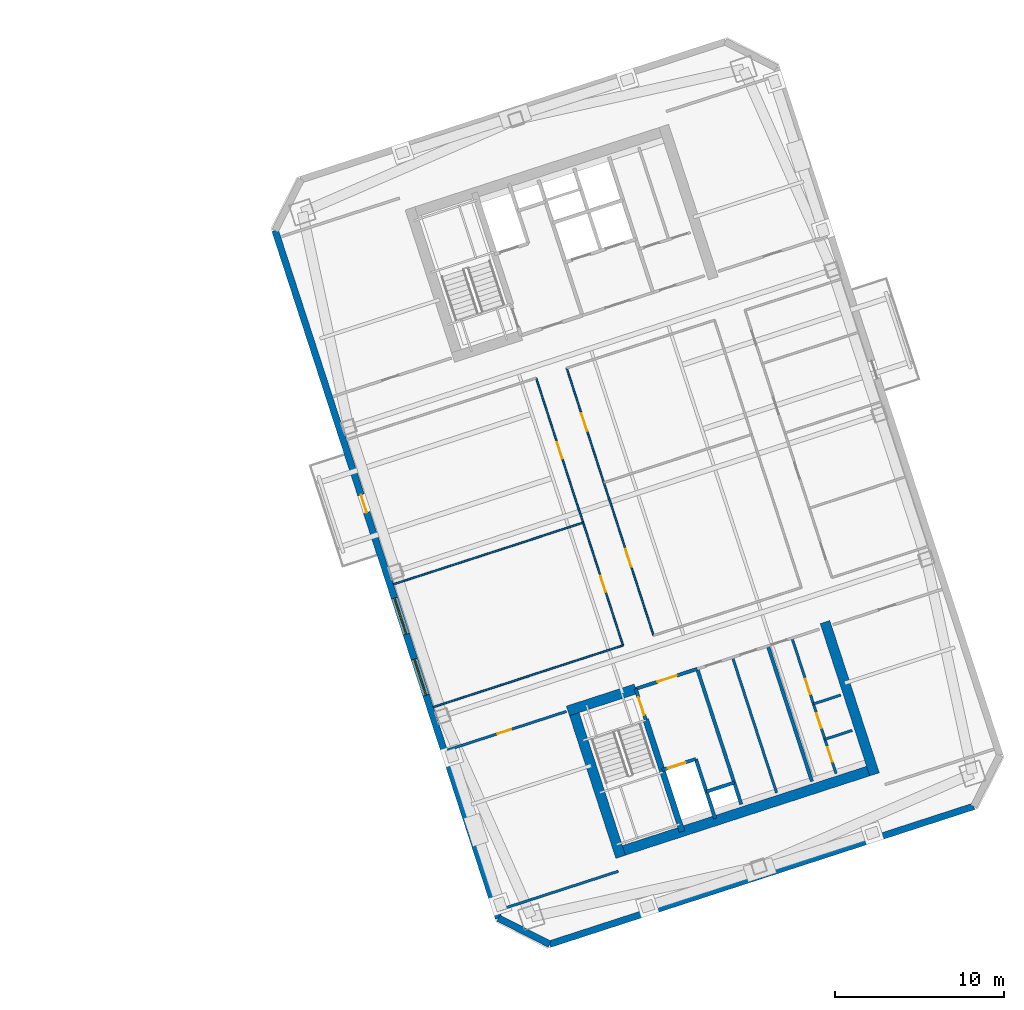
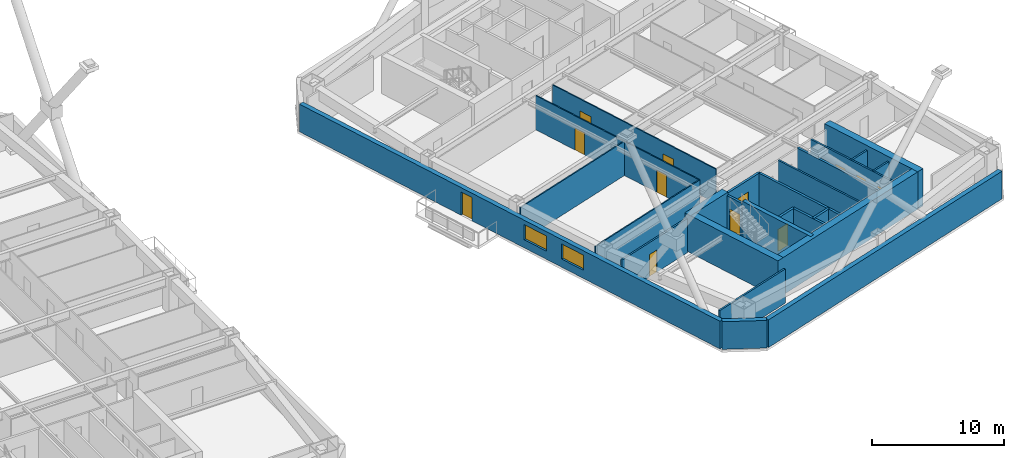
# One storey, part 9 of 17: 25 walls, 12 doors, 2 windows, 14 openings.
"""IFC4 building model written with IfcOpenShell, lengths in metres."""

from ifc_helpers import new_model, si_unit, direction, frame, frame_2d, origin, place, context, subcontext, project, spatial, rectangle, extrude, material, layer, layer_set, type_object, element, fill, save


model = new_model("IFC4")

# Units and contexts
model_context = context("Model", 3, precision=1e-05, world=origin(), true_north=direction((0.0, 1.0)))
body_context = subcontext(model_context, "Body", "Model", "MODEL_VIEW")
ifc_project = project(units=[si_unit("LENGTHUNIT", "METRE"), si_unit("AREAUNIT", "SQUARE_METRE"), si_unit("VOLUMEUNIT", "CUBIC_METRE"), si_unit("PLANEANGLEUNIT", "RADIAN"), si_unit("MASSUNIT", "GRAM", prefix="KILO")], contexts=[model_context])

# Site, building, storey
site_placement = place(None, origin())
site = spatial("IfcSite", under=ifc_project, at=site_placement, CompositionType="ELEMENT")
building_placement = place(site_placement, origin())
building = spatial("IfcBuilding", under=site, at=building_placement, Name="Qiaolan Cultural Towers", CompositionType="ELEMENT")
storey_placement = place(building_placement, frame((0.0, 0.0, 134.550048828125)))
storey = spatial("IfcBuildingStorey", under=building, at=storey_placement, Name="L35", CompositionType="ELEMENT", Elevation=134.550048828125)

# Walls
ifc_material_1 = material(Name="Concrete C50", Category="concrete")
ifc_layer_1 = layer(ifc_material_1, 0.35009765625)
ifc_layer_set_1 = layer_set([ifc_layer_1], Name="Concrete C50")
wall_type_1 = type_object("IfcWallType", Name="WL-CORE-350", PredefinedType="SHEAR", material=ifc_layer_set_1)
wall_1_placement = place(storey_placement, frame((90.486328125, 20.59423828125, 0.0), z_axis=(0.0, 0.0, 1.0), x_axis=(0.309020428229, -0.951055400562, 0.0)))
element("IfcWall", 1, at=wall_1_placement, inside=storey, type_object=wall_type_1, Name="L35 T2-CS Stair Core Dividing Web", PredefinedType="SHEAR", context=body_context, shape_type="SweptSolid", body=[
    extrude(rectangle(XDim=6.97998046875, YDim=0.35009765625, at=frame_2d((3.489990234375, 0.0))), origin(), (0.0, 0.0, 1.0), 3.449951171875),
])
ifc_material_2 = material(Name="Concrete C55", Category="concrete")
ifc_layer_2 = layer(ifc_material_2, 0.60009765625)
ifc_layer_set_2 = layer_set([ifc_layer_2], Name="Concrete C55")
wall_type_2 = type_object("IfcWallType", Name="WL-CORE-600", PredefinedType="SHEAR", material=ifc_layer_set_2)
wall_2_placement = place(storey_placement, frame((88.6298828125, 12.65185546875, 0.0), z_axis=(0.0, 0.0, 1.0), x_axis=(0.95105714907, 0.309015046886, 0.0)))
element("IfcWall", 2, at=wall_2_placement, inside=storey, type_object=wall_type_2, Name="L35 T2-CS Outer Core Shear Wall", PredefinedType="SHEAR", context=body_context, shape_type="SweptSolid", body=[
    extrude(rectangle(XDim=16.400146484375, YDim=0.60009765625, at=frame_2d((8.2001953125, 0.0))), origin(), (0.0, 0.0, 1.0), 3.449951171875),
])
wall_3_placement = place(storey_placement, frame((86.078369140625, 21.47509765625, 0.0), z_axis=(0.0, 0.0, 1.0), x_axis=(0.309017938678, -0.951056209472, 0.0)))
element("IfcWall", 3, at=wall_3_placement, inside=storey, type_object=wall_type_2, Name="L35 T2-CS West Core Shear Wall", PredefinedType="SHEAR", context=body_context, shape_type="SweptSolid", body=[
    extrude(rectangle(XDim=9.479736328125, YDim=0.60009765625, at=frame_2d((4.73974609375, 0.0))), origin(), (0.0, 0.0, 1.0), 3.449951171875),
])
wall_4_placement = place(storey_placement, frame((101.105224609375, 26.357666015625, 0.0), z_axis=(0.0, 0.0, 1.0), x_axis=(0.309010370028, -0.95105866865, 0.0)))
element("IfcWall", 4, at=wall_4_placement, inside=storey, type_object=wall_type_2, Name="L35 T2-CS East Core Shear Wall", PredefinedType="SHEAR", context=body_context, shape_type="SweptSolid", body=[
    extrude(rectangle(XDim=9.47998046875, YDim=0.60009765625, at=frame_2d((4.739990234375, 0.0))), origin(), (0.0, 0.0, 1.0), 3.449951171875),
])
wall_5_placement = place(storey_placement, frame((85.8857421875, 21.09716796875, 0.0), z_axis=(0.0, 0.0, 1.0), x_axis=(0.951068073652, 0.308981422225, 0.0)))
element("IfcWall", 5, at=wall_5_placement, inside=storey, type_object=wall_type_2, Name="L35 T2-CS Stair Front Shear Wall", PredefinedType="SHEAR", context=body_context, shape_type="SweptSolid", body=[
    extrude(rectangle(XDim=4.22021484375, YDim=0.60009765625, at=frame_2d((2.110107421875, 0.0))), origin(), (0.0, 0.0, 1.0), 3.449951171875),
])

# Wall, openings, door, windows
ifc_material_3 = material(Name="Precast Concrete C50 Honed Stone Pier", Category="masonry")
ifc_layer_3 = layer(ifc_material_3, 0.39990234375)
ifc_layer_set_3 = layer_set([ifc_layer_3], Name="Precast Concrete C50 Honed Stone Pier")
wall_type_3 = type_object("IfcWallType", Name="WL-EXT-PIER-400", PredefinedType="SOLIDWALL", material=ifc_layer_set_3)
wall_6_placement = place(storey_placement, frame((81.7763671875, 8.82666015625, 0.0), z_axis=(0.0, 0.0, 1.0), x_axis=(-0.309014228706, 0.951057414911, 0.0)))
wall_6 = element("IfcWall", 6, at=wall_6_placement, inside=storey, type_object=wall_type_3, Name="L35 East Tower Precast Pier Facade Wall F1", PredefinedType="SOLIDWALL", context=body_context, shape_type="SweptSolid", body=[
    extrude(rectangle(XDim=42.800048828125, YDim=0.39990234375, at=frame_2d((21.39990234375, 0.0))), origin(), (0.0, 0.0, 1.0), 2.550048828125),
])
opening_1_placement = place(wall_6_placement, frame((13.875, 0.0, 0.75)))
opening_1 = element("IfcOpeningElement", 7, at=opening_1_placement, cuts=wall_6, Name="Opening W-03", PredefinedType="OPENING", context=body_context, shape_type="SweptSolid", body=[
    extrude(rectangle(XDim=2.25, YDim=1.39990234375, at=frame_2d((1.125, 0.699951171875))), frame((0.0, 0.2099609375, 0.0), z_axis=(0.0, -1.0, 0.0), x_axis=(1.0, 0.0, 0.0)), (0.0, 0.0, 1.0), 0.419921875),
])
opening_2_placement = place(wall_6_placement, frame((17.675048828125, 0.0, 0.75)))
opening_2 = element("IfcOpeningElement", 8, at=opening_2_placement, cuts=wall_6, Name="Opening W-03", PredefinedType="OPENING", context=body_context, shape_type="SweptSolid", body=[
    extrude(rectangle(XDim=2.25, YDim=1.39990234375, at=frame_2d((1.125, 0.699951171875))), frame((0.0, 0.2099609375, 0.0), z_axis=(0.0, -1.0, 0.0), x_axis=(1.0, 0.0, 0.0)), (0.0, 0.0, 1.0), 0.419921875),
])
opening_3_placement = place(wall_6_placement, frame((25.25, 0.0, 0.0)))
opening_3 = element("IfcOpeningElement", 9, at=opening_3_placement, cuts=wall_6, Name="Opening BD-01", PredefinedType="OPENING", context=body_context, shape_type="SweptSolid", body=[
    extrude(rectangle(XDim=1.10009765625, YDim=2.14990234375, at=frame_2d((0.550048828125, 1.074951171875))), frame((0.0, 0.2099609375, 0.0), z_axis=(0.0, -1.0, 0.0), x_axis=(1.0, 0.0, 0.0)), (0.0, 0.0, 1.0), 0.419921875),
])
ifc_material_4 = material(Name="Thermally Broken Aluminium Glazed Terrace Door", Category="aluminium")
door_type_1 = type_object("IfcDoorType", Name="DR-BAL-1100", OperationType="NOTDEFINED", PredefinedType="DOOR", material=ifc_material_4)
door_1_placement = place(opening_3_placement, origin())
door_1 = element("IfcDoor", 10, at=door_1_placement, inside=storey, type_object=door_type_1, Name="L35 T2 West Tree Balcony Door", OperationType="SINGLE_SWING_LEFT", OverallHeight=2.14990234375, OverallWidth=1.10009765625, PredefinedType="DOOR", context=body_context, shape_type="SweptSolid", body=[
    extrude(rectangle(XDim=1.10009765625, YDim=2.14990234375, at=frame_2d((0.550048828125, 1.074951171875))), frame((0.0, 0.02490234375, 0.0), z_axis=(0.0, -1.0, 0.0), x_axis=(1.0, 0.0, 0.0)), (0.0, 0.0, 1.0), 0.050048828125),
])
fill(opening_3, door_1)
ifc_material_5 = material(Name="Thermally Broken Aluminium Triple Low-E Glazing", Category="aluminium")
window_type = type_object("IfcWindowType", Name="WN-CHIC-2250", PartitioningType="SINGLE_PANEL", PredefinedType="WINDOW", material=ifc_material_5)
window_1_placement = place(opening_1_placement, origin())
window_1 = element("IfcWindow", 11, at=window_1_placement, inside=storey, type_object=window_type, Name="L35 T2 W Chicago Bay Window 1", OverallHeight=1.39990234375, OverallWidth=2.25, PartitioningType="TRIPLE_PANEL_VERTICAL", PredefinedType="WINDOW", context=body_context, shape_type="SweptSolid", body=[
    extrude(rectangle(XDim=2.25, YDim=1.39990234375, at=frame_2d((1.125, 0.699951171875))), frame((0.0, 0.030029296875, 0.0), z_axis=(0.0, -1.0, 0.0), x_axis=(1.0, 0.0, 0.0)), (0.0, 0.0, 1.0), 0.06005859375),
])
fill(opening_1, window_1)
window_2_placement = place(opening_2_placement, origin())
window_2 = element("IfcWindow", 12, at=window_2_placement, inside=storey, type_object=window_type, Name="L35 T2 W Chicago Bay Window 2", OverallHeight=1.39990234375, OverallWidth=2.25, PartitioningType="TRIPLE_PANEL_VERTICAL", PredefinedType="WINDOW", context=body_context, shape_type="SweptSolid", body=[
    extrude(rectangle(XDim=2.25, YDim=1.39990234375, at=frame_2d((1.125, 0.699951171875))), frame((0.0, 0.030029296875, 0.0), z_axis=(0.0, -1.0, 0.0), x_axis=(1.0, 0.0, 0.0)), (0.0, 0.0, 1.0), 0.06005859375),
])
fill(opening_2, window_2)

# Walls
wall_7_placement = place(storey_placement, frame((109.908447265625, 15.44384765625, 0.0), z_axis=(0.0, 0.0, 1.0), x_axis=(-0.951057580055, -0.30901372044, 0.0)))
element("IfcWall", 13, at=wall_7_placement, inside=storey, type_object=wall_type_3, Name="L35 East Tower Precast Pier Facade Wall F7", PredefinedType="SOLIDWALL", context=body_context, shape_type="SweptSolid", body=[
    extrude(rectangle(XDim=26.39990234375, YDim=0.39990234375, at=frame_2d((13.199951171875, 0.0))), origin(), (0.0, 0.0, 1.0), 2.550048828125),
])
wall_8_placement = place(storey_placement, frame((84.800537109375, 7.285888671875, 0.0), z_axis=(0.0, 0.0, 1.0), x_axis=(-0.891020832027, 0.453962417932, 0.0)))
element("IfcWall", 14, at=wall_8_placement, inside=storey, type_object=wall_type_3, Name="L35 East Tower Precast Pier Facade Wall F8", PredefinedType="SOLIDWALL", context=body_context, shape_type="SweptSolid", body=[
    extrude(rectangle(XDim=3.39404296875, YDim=0.39990234375, at=frame_2d((1.697021484375, 0.0))), origin(), (0.0, 0.0, 1.0), 2.550048828125),
])

# Wall, opening, door
ifc_material_6 = material(Name="Concrete C35 Fire Wall", Category="concrete")
ifc_layer_4 = layer(ifc_material_6, 0.199951171875)
ifc_layer_set_4 = layer_set([ifc_layer_4], Name="Concrete C35 Fire Wall")
wall_type_4 = type_object("IfcWallType", Name="WL-FIRE-200", PredefinedType="PARTITIONING", material=ifc_layer_set_4)
wall_9_placement = place(storey_placement, frame((89.8994140625, 22.401123046875, 0.0), z_axis=(0.0, 0.0, 1.0), x_axis=(0.308932062672, -0.951084108086, 0.0)))
wall_9 = element("IfcWall", 15, at=wall_9_placement, inside=storey, type_object=wall_type_4, Name="L35 T2-CS Smokeproof Stair Entry Wall", PredefinedType="PARTITIONING", context=body_context, shape_type="SweptSolid", body=[
    extrude(rectangle(XDim=1.89990234375, YDim=0.199951171875, at=frame_2d((0.949951171875, 0.0))), origin(), (0.0, 0.0, 1.0), 3.155029296875),
])
opening_4_placement = place(wall_9_placement, frame((0.52001953125, 0.0, 0.0)))
opening_4 = element("IfcOpeningElement", 16, at=opening_4_placement, cuts=wall_9, Name="Opening FD-04", PredefinedType="OPENING", context=body_context, shape_type="SweptSolid", body=[
    extrude(rectangle(XDim=1.10009765625, YDim=2.050048828125, at=frame_2d((0.550048828125, 1.02490234375))), frame((0.0, 0.10986328125, 0.0), z_axis=(0.0, -1.0, 0.0), x_axis=(1.0, 0.0, 0.0)), (0.0, 0.0, 1.0), 0.219970703125),
])
ifc_material_7 = material(Name="Galvanized Steel Command Fire Door", Category="steel")
door_type_2 = type_object("IfcDoorType", Name="DR-FD90-1100", OperationType="NOTDEFINED", PredefinedType="DOOR", material=ifc_material_7)
door_2_placement = place(opening_4_placement, origin())
door_2 = element("IfcDoor", 17, at=door_2_placement, inside=storey, type_object=door_type_2, Name="L35 ST-E1 Smokeproof Stair Fire Door", OperationType="SINGLE_SWING_LEFT", OverallHeight=2.050048828125, OverallWidth=1.10009765625, PredefinedType="DOOR", context=body_context, shape_type="SweptSolid", body=[
    extrude(rectangle(XDim=1.10009765625, YDim=2.050048828125, at=frame_2d((0.550048828125, 1.02490234375))), frame((0.0, 0.02490234375, 0.0), z_axis=(0.0, -1.0, 0.0), x_axis=(1.0, 0.0, 0.0)), (0.0, 0.0, 1.0), 0.050048828125),
])
fill(opening_4, door_2)

# Wall
wall_10_placement = place(storey_placement, frame((93.541748046875, 23.584716796875, 0.0), z_axis=(0.0, 0.0, 1.0), x_axis=(0.309042196757, -0.951048327176, 0.0)))
element("IfcWall", 18, at=wall_10_placement, inside=storey, type_object=wall_type_4, Name="L35 T2-CS Firefighting Zone Wall", PredefinedType="PARTITIONING", context=body_context, shape_type="SweptSolid", body=[
    extrude(rectangle(XDim=8.429931640625, YDim=0.199951171875, at=frame_2d((4.21484375, 0.0))), origin(), (0.0, 0.0, 1.0), 3.155029296875),
])

# Wall, opening, door
wall_11_placement = place(storey_placement, frame((89.8994140625, 22.401123046875, 0.0), z_axis=(0.0, 0.0, 1.0), x_axis=(0.951046716504, 0.309047153403, 0.0)))
wall_11 = element("IfcWall", 19, at=wall_11_placement, inside=storey, type_object=wall_type_4, Name="L35 T2-CS Firefighting Lobby Front Wall", PredefinedType="PARTITIONING", context=body_context, shape_type="SweptSolid", body=[
    extrude(rectangle(XDim=3.829833984375, YDim=0.199951171875, at=frame_2d((1.9150390625, 0.0))), origin(), (0.0, 0.0, 1.0), 3.155029296875),
])
opening_5_placement = place(wall_11_placement, frame((1.35009765625, 0.0, 0.0)))
opening_5 = element("IfcOpeningElement", 20, at=opening_5_placement, cuts=wall_11, Name="Opening FD-03", PredefinedType="OPENING", context=body_context, shape_type="SweptSolid", body=[
    extrude(rectangle(XDim=1.199951171875, YDim=2.050048828125, at=frame_2d((0.60009765625, 1.02490234375))), frame((0.0, 0.10986328125, 0.0), z_axis=(0.0, -1.0, 0.0), x_axis=(1.0, 0.0, 0.0)), (0.0, 0.0, 1.0), 0.219970703125),
])
ifc_material_8 = material(Name="Galvanized Steel Smokeproof Lobby Fire Door", Category="steel")
door_type_3 = type_object("IfcDoorType", Name="DR-FD90-1200", OperationType="NOTDEFINED", PredefinedType="DOOR", material=ifc_material_8)
door_3_placement = place(opening_5_placement, origin())
door_3 = element("IfcDoor", 21, at=door_3_placement, inside=storey, type_object=door_type_3, Name="L35 FFL-E1 Firefighting Lobby Fire Door", OperationType="SINGLE_SWING_LEFT", OverallHeight=2.050048828125, OverallWidth=1.199951171875, PredefinedType="DOOR", context=body_context, shape_type="SweptSolid", body=[
    extrude(rectangle(XDim=1.199951171875, YDim=2.050048828125, at=frame_2d((0.60009765625, 1.02490234375))), frame((0.0, 0.02490234375, 0.0), z_axis=(0.0, -1.0, 0.0), x_axis=(1.0, 0.0, 0.0)), (0.0, 0.0, 1.0), 0.050048828125),
])
fill(opening_5, door_3)

wall_12_placement = place(storey_placement, frame((91.459716796875, 17.598388671875, 0.0), z_axis=(0.0, 0.0, 1.0), x_axis=(0.951062257173, 0.308999325213, 0.0)))
wall_12 = element("IfcWall", 22, at=wall_12_placement, inside=storey, type_object=wall_type_4, Name="L35 T2-CS Firefighting Shaft Front Wall", PredefinedType="PARTITIONING", context=body_context, shape_type="SweptSolid", body=[
    extrude(rectangle(XDim=2.10009765625, YDim=0.199951171875, at=frame_2d((1.050048828125, 0.0))), origin(), (0.0, 0.0, 1.0), 3.155029296875),
])
opening_6_placement = place(wall_12_placement, frame((0.35009765625, 0.0, 0.0)))
opening_6 = element("IfcOpeningElement", 23, at=opening_6_placement, cuts=wall_12, Name="Opening LD-01", PredefinedType="OPENING", context=body_context, shape_type="SweptSolid", body=[
    extrude(rectangle(XDim=1.10009765625, YDim=2.050048828125, at=frame_2d((0.550048828125, 1.02490234375))), frame((0.0, 0.10986328125, 0.0), z_axis=(0.0, -1.0, 0.0), x_axis=(1.0, 0.0, 0.0)), (0.0, 0.0, 1.0), 0.219970703125),
])
ifc_material_9 = material(Name="Brushed Stainless Steel S30408 Centre-Parting Lift Landing Door", Category="steel")
door_type_4 = type_object("IfcDoorType", Name="DR-LIFT-1100", OperationType="NOTDEFINED", PredefinedType="DOOR", material=ifc_material_9)
door_4_placement = place(opening_6_placement, origin())
door_4 = element("IfcDoor", 24, at=door_4_placement, inside=storey, type_object=door_type_4, Name="L35 FFL-E1 Firefighting Lift Landing Door", OperationType="DOUBLE_DOOR_SLIDING", OverallHeight=2.050048828125, OverallWidth=1.10009765625, PredefinedType="DOOR", context=body_context, shape_type="SweptSolid", body=[
    extrude(rectangle(XDim=1.10009765625, YDim=2.050048828125, at=frame_2d((0.550048828125, 1.02490234375))), frame((0.0, 0.02490234375, 0.0), z_axis=(0.0, -1.0, 0.0), x_axis=(1.0, 0.0, 0.0)), (0.0, 0.0, 1.0), 0.050048828125),
])
fill(opening_6, door_4)

# Walls
wall_13_placement = place(storey_placement, frame((93.45703125, 18.247314453125, 0.0), z_axis=(0.0, 0.0, 1.0), x_axis=(0.3089935693, -0.951064127245, 0.0)))
element("IfcWall", 25, at=wall_13_placement, inside=storey, type_object=wall_type_4, Name="L35 T2-CS Firefighting Hoistway East Wall", PredefinedType="PARTITIONING", context=body_context, shape_type="SweptSolid", body=[
    extrude(rectangle(XDim=3.7001953125, YDim=0.199951171875, at=frame_2d((1.85009765625, 0.0))), origin(), (0.0, 0.0, 1.0), 3.155029296875),
])
wall_14_placement = place(storey_placement, frame((94.08447265625, 16.316650390625, 0.0), z_axis=(0.0, 0.0, 1.0), x_axis=(0.951041328149, 0.309063734775, 0.0)))
element("IfcWall", 26, at=wall_14_placement, inside=storey, type_object=wall_type_4, Name="L35 T2-CS Pressurization Shaft Front Wall", PredefinedType="PARTITIONING", context=body_context, shape_type="SweptSolid", body=[
    extrude(rectangle(XDim=1.72998046875, YDim=0.199951171875, at=frame_2d((0.864990234375, 0.0))), origin(), (0.0, 0.0, 1.0), 3.155029296875),
])
wall_15_placement = place(storey_placement, frame((97.7265625, 24.9443359375, 0.0), z_axis=(0.0, 0.0, 1.0), x_axis=(0.309016001439, -0.951056838919, 0.0)))
element("IfcWall", 27, at=wall_15_placement, inside=storey, type_object=wall_type_4, Name="L35 T2-CS Lift Core East Wall", PredefinedType="PARTITIONING", context=body_context, shape_type="SweptSolid", body=[
    extrude(rectangle(XDim=8.429931640625, YDim=0.199951171875, at=frame_2d((4.21484375, 0.0))), origin(), (0.0, 0.0, 1.0), 3.155029296875),
])
ifc_material_10 = material(Name="Acoustic Double-Glazed Partition Frame", Category="glass")
ifc_layer_5 = layer(ifc_material_10, 0.10009765625)
ifc_layer_set_5 = layer_set([ifc_layer_5], Name="Acoustic Double-Glazed Partition Frame")
wall_type_5 = type_object("IfcWallType", Name="WL-GLAZED-100", PredefinedType="MOVABLE", material=ifc_layer_set_5)
wall_16_placement = place(storey_placement, frame((77.9248046875, 21.328369140625, 0.0), z_axis=(0.0, 0.0, 1.0), x_axis=(0.951053984761, 0.309024785528, 0.0)))
element("IfcWall", 28, at=wall_16_placement, inside=storey, type_object=wall_type_5, Name="L35 T2 Interior Wall", PredefinedType="MOVABLE", context=body_context, shape_type="SweptSolid", body=[
    extrude(rectangle(XDim=11.800048828125, YDim=0.10009765625, at=frame_2d((5.89990234375, 0.0))), origin(), (0.0, 0.0, 1.0), 3.155029296875),
])

# Wall, openings, doors
wall_17_placement = place(storey_placement, frame((89.147216796875, 24.974853515625, 0.0), z_axis=(0.0, 0.0, 1.0), x_axis=(-0.309022042254, 0.951054876125, 0.0)))
wall_17 = element("IfcWall", 29, at=wall_17_placement, inside=storey, type_object=wall_type_5, Name="L35 T2 Interior Wall", PredefinedType="MOVABLE", context=body_context, shape_type="SweptSolid", body=[
    extrude(rectangle(XDim=16.639892578125, YDim=0.10009765625, at=frame_2d((8.31982421875, 0.0))), origin(), (0.0, 0.0, 1.0), 3.155029296875),
])
opening_7_placement = place(wall_17_placement, frame((3.320068359375, 0.0, 0.0)))
opening_7 = element("IfcOpeningElement", 30, at=opening_7_placement, cuts=wall_17, Name="Opening ID-04", PredefinedType="OPENING", context=body_context, shape_type="SweptSolid", body=[
    extrude(rectangle(XDim=1.0, YDim=2.050048828125, at=frame_2d((0.5, 1.02490234375))), frame((0.0, 0.06005859375, 0.0), z_axis=(0.0, -1.0, 0.0), x_axis=(1.0, 0.0, 0.0)), (0.0, 0.0, 1.0), 0.1201171875),
])
opening_8_placement = place(wall_17_placement, frame((11.639892578125, 0.0, 0.0)))
opening_8 = element("IfcOpeningElement", 31, at=opening_8_placement, cuts=wall_17, Name="Opening ID-04", PredefinedType="OPENING", context=body_context, shape_type="SweptSolid", body=[
    extrude(rectangle(XDim=1.0, YDim=2.050048828125, at=frame_2d((0.5, 1.02490234375))), frame((0.0, 0.06005859375, 0.0), z_axis=(0.0, -1.0, 0.0), x_axis=(1.0, 0.0, 0.0)), (0.0, 0.0, 1.0), 0.1201171875),
])
ifc_material_11 = material(Name="Oak Veneer Acoustic Office Door", Category="timber")
door_type_5 = type_object("IfcDoorType", Name="DR-INT-1000", OperationType="NOTDEFINED", PredefinedType="DOOR", material=ifc_material_11)
door_5_placement = place(opening_7_placement, origin())
door_5 = element("IfcDoor", 32, at=door_5_placement, inside=storey, type_object=door_type_5, Name="L35 T2 Design Research Studio Door", OperationType="SINGLE_SWING_LEFT", OverallHeight=2.050048828125, OverallWidth=1.0, PredefinedType="DOOR", context=body_context, shape_type="SweptSolid", body=[
    extrude(rectangle(XDim=1.0, YDim=2.050048828125, at=frame_2d((0.5, 1.02490234375))), frame((0.0, 0.02490234375, 0.0), z_axis=(0.0, -1.0, 0.0), x_axis=(1.0, 0.0, 0.0)), (0.0, 0.0, 1.0), 0.050048828125),
])
fill(opening_7, door_5)
door_6_placement = place(opening_8_placement, origin())
door_6 = element("IfcDoor", 33, at=door_6_placement, inside=storey, type_object=door_type_5, Name="L35 T2 Design Research Studio Door", OperationType="SINGLE_SWING_RIGHT", OverallHeight=2.050048828125, OverallWidth=1.0, PredefinedType="DOOR", context=body_context, shape_type="SweptSolid", body=[
    extrude(rectangle(XDim=1.0, YDim=2.050048828125, at=frame_2d((0.5, 1.02490234375))), frame((0.0, 0.02490234375, 0.0), z_axis=(0.0, -1.0, 0.0), x_axis=(1.0, 0.0, 0.0)), (0.0, 0.0, 1.0), 0.050048828125),
])
fill(opening_8, door_6)

wall_18_placement = place(storey_placement, frame((90.954345703125, 25.561767578125, 0.0), z_axis=(0.0, 0.0, 1.0), x_axis=(-0.30901773025, 0.951056277195, 0.0)))
wall_18 = element("IfcWall", 34, at=wall_18_placement, inside=storey, type_object=wall_type_5, Name="L35 T2 Interior Wall", PredefinedType="MOVABLE", context=body_context, shape_type="SweptSolid", body=[
    extrude(rectangle(XDim=16.64013671875, YDim=0.10009765625, at=frame_2d((8.320068359375, 0.0))), origin(), (0.0, 0.0, 1.0), 3.155029296875),
])
opening_9_placement = place(wall_18_placement, frame((4.283935546875, 0.0, 0.0)))
opening_9 = element("IfcOpeningElement", 35, at=opening_9_placement, cuts=wall_18, Name="Opening ID-03", PredefinedType="OPENING", context=body_context, shape_type="SweptSolid", body=[
    extrude(rectangle(XDim=1.10009765625, YDim=2.050048828125, at=frame_2d((0.550048828125, 1.02490234375))), frame((0.0, 0.06005859375, 0.0), z_axis=(0.0, -1.0, 0.0), x_axis=(1.0, 0.0, 0.0)), (0.0, 0.0, 1.0), 0.1201171875),
])
opening_10_placement = place(wall_18_placement, frame((12.72412109375, 0.0, 0.0)))
opening_10 = element("IfcOpeningElement", 36, at=opening_10_placement, cuts=wall_18, Name="Opening ID-03", PredefinedType="OPENING", context=body_context, shape_type="SweptSolid", body=[
    extrude(rectangle(XDim=1.10009765625, YDim=2.050048828125, at=frame_2d((0.550048828125, 1.02490234375))), frame((0.0, 0.06005859375, 0.0), z_axis=(0.0, -1.0, 0.0), x_axis=(1.0, 0.0, 0.0)), (0.0, 0.0, 1.0), 0.1201171875),
])
ifc_material_12 = material(Name="Oak Veneer Solid-Core Boardroom Door", Category="timber")
door_type_6 = type_object("IfcDoorType", Name="DR-INT-1100", OperationType="NOTDEFINED", PredefinedType="DOOR", material=ifc_material_12)
door_7_placement = place(opening_9_placement, origin())
door_7 = element("IfcDoor", 37, at=door_7_placement, inside=storey, type_object=door_type_6, Name="L35 T2 Central Boardroom Door", OperationType="SINGLE_SWING_LEFT", OverallHeight=2.050048828125, OverallWidth=1.10009765625, PredefinedType="DOOR", context=body_context, shape_type="SweptSolid", body=[
    extrude(rectangle(XDim=1.10009765625, YDim=2.050048828125, at=frame_2d((0.550048828125, 1.02490234375))), frame((0.0, 0.02490234375, 0.0), z_axis=(0.0, -1.0, 0.0), x_axis=(1.0, 0.0, 0.0)), (0.0, 0.0, 1.0), 0.050048828125),
])
fill(opening_9, door_7)
door_8_placement = place(opening_10_placement, origin())
door_8 = element("IfcDoor", 38, at=door_8_placement, inside=storey, type_object=door_type_6, Name="L35 T2 Central Archive Salon Door", OperationType="SINGLE_SWING_RIGHT", OverallHeight=2.050048828125, OverallWidth=1.10009765625, PredefinedType="DOOR", context=body_context, shape_type="SweptSolid", body=[
    extrude(rectangle(XDim=1.10009765625, YDim=2.050048828125, at=frame_2d((0.550048828125, 1.02490234375))), frame((0.0, 0.02490234375, 0.0), z_axis=(0.0, -1.0, 0.0), x_axis=(1.0, 0.0, 0.0)), (0.0, 0.0, 1.0), 0.050048828125),
])
fill(opening_10, door_8)

# Walls
wall_19_placement = place(storey_placement, frame((75.56396484375, 28.594482421875, 0.0), z_axis=(0.0, 0.0, 1.0), x_axis=(0.95106006537, 0.309006071232, 0.0)))
element("IfcWall", 39, at=wall_19_placement, inside=storey, type_object=wall_type_5, Name="L35 T2 Interior Wall", PredefinedType="MOVABLE", context=body_context, shape_type="SweptSolid", body=[
    extrude(rectangle(XDim=11.7998046875, YDim=0.10009765625, at=frame_2d((5.89990234375, 0.0))), origin(), (0.0, 0.0, 1.0), 3.155029296875),
])
ifc_material_13 = material(Name="Autoclaved Aerated Concrete Block B06", Category="concrete")
ifc_layer_6 = layer(ifc_material_13, 0.14990234375)
ifc_layer_set_6 = layer_set([ifc_layer_6], Name="Autoclaved Aerated Concrete Block B06")
wall_type_6 = type_object("IfcWallType", Name="WL-PART-150", PredefinedType="PARTITIONING", material=ifc_layer_set_6)
wall_20_placement = place(storey_placement, frame((95.63427734375, 24.2646484375, 0.0), z_axis=(0.0, 0.0, 1.0), x_axis=(0.309007490203, -0.951059604335, 0.0)))
element("IfcWall", 40, at=wall_20_placement, inside=storey, type_object=wall_type_6, Name="L35 T2-CS Reclaimed Twin Room Wall", PredefinedType="PARTITIONING", context=body_context, shape_type="SweptSolid", body=[
    extrude(rectangle(XDim=8.43017578125, YDim=0.14990234375, at=frame_2d((4.215087890625, 0.0))), origin(), (0.0, 0.0, 1.0), 3.155029296875),
])

# Wall, openings, doors
wall_21_placement = place(storey_placement, frame((99.153076171875, 25.407958984375, 0.0), z_axis=(0.0, 0.0, 1.0), x_axis=(0.309016001439, -0.951056838919, 0.0)))
wall_21 = element("IfcWall", 41, at=wall_21_placement, inside=storey, type_object=wall_type_6, Name="L35 T2-CS Sanitary Vestibule Wall", PredefinedType="PARTITIONING", context=body_context, shape_type="SweptSolid", body=[
    extrude(rectangle(XDim=8.429931640625, YDim=0.14990234375, at=frame_2d((4.21484375, 0.0))), origin(), (0.0, 0.0, 1.0), 3.155029296875),
])
opening_11_placement = place(wall_21_placement, frame((2.550048828125, 0.0, 0.0)))
opening_11 = element("IfcOpeningElement", 42, at=opening_11_placement, cuts=wall_21, Name="Opening ID-05", PredefinedType="OPENING", context=body_context, shape_type="SweptSolid", body=[
    extrude(rectangle(XDim=0.949951171875, YDim=2.050048828125, at=frame_2d((0.47509765625, 1.02490234375))), frame((0.0, 0.0849609375, 0.0), z_axis=(0.0, -1.0, 0.0), x_axis=(1.0, 0.0, 0.0)), (0.0, 0.0, 1.0), 0.169921875),
])
opening_12_placement = place(wall_21_placement, frame((4.699951171875, 0.0, 0.0)))
opening_12 = element("IfcOpeningElement", 43, at=opening_12_placement, cuts=wall_21, Name="Opening ID-06", PredefinedType="OPENING", context=body_context, shape_type="SweptSolid", body=[
    extrude(rectangle(XDim=0.89990234375, YDim=2.050048828125, at=frame_2d((0.449951171875, 1.02490234375))), frame((0.0, 0.0849609375, 0.0), z_axis=(0.0, -1.0, 0.0), x_axis=(1.0, 0.0, 0.0)), (0.0, 0.0, 1.0), 0.169921875),
])
opening_13_placement = place(wall_21_placement, frame((6.800048828125, 0.0, 0.0)))
opening_13 = element("IfcOpeningElement", 44, at=opening_13_placement, cuts=wall_21, Name="Opening ID-06", PredefinedType="OPENING", context=body_context, shape_type="SweptSolid", body=[
    extrude(rectangle(XDim=0.89990234375, YDim=2.050048828125, at=frame_2d((0.449951171875, 1.02490234375))), frame((0.0, 0.0849609375, 0.0), z_axis=(0.0, -1.0, 0.0), x_axis=(1.0, 0.0, 0.0)), (0.0, 0.0, 1.0), 0.169921875),
])
ifc_material_14 = material(Name="Fire-Rated Laminate Core Service Door", Category="timber")
door_type_7 = type_object("IfcDoorType", Name="DR-INT-900", OperationType="NOTDEFINED", PredefinedType="DOOR", material=ifc_material_14)
door_9_placement = place(opening_12_placement, origin())
door_9 = element("IfcDoor", 45, at=door_9_placement, inside=storey, type_object=door_type_7, Name="L35 Men Washroom Door", OperationType="SINGLE_SWING_LEFT", OverallHeight=2.050048828125, OverallWidth=0.89990234375, PredefinedType="DOOR", context=body_context, shape_type="SweptSolid", body=[
    extrude(rectangle(XDim=0.89990234375, YDim=2.050048828125, at=frame_2d((0.449951171875, 1.02490234375))), frame((0.0, 0.02490234375, 0.0), z_axis=(0.0, -1.0, 0.0), x_axis=(1.0, 0.0, 0.0)), (0.0, 0.0, 1.0), 0.050048828125),
])
fill(opening_12, door_9)
door_10_placement = place(opening_13_placement, origin())
door_10 = element("IfcDoor", 46, at=door_10_placement, inside=storey, type_object=door_type_7, Name="L35 Women Washroom Door", OperationType="SINGLE_SWING_RIGHT", OverallHeight=2.050048828125, OverallWidth=0.89990234375, PredefinedType="DOOR", context=body_context, shape_type="SweptSolid", body=[
    extrude(rectangle(XDim=0.89990234375, YDim=2.050048828125, at=frame_2d((0.449951171875, 1.02490234375))), frame((0.0, 0.02490234375, 0.0), z_axis=(0.0, -1.0, 0.0), x_axis=(1.0, 0.0, 0.0)), (0.0, 0.0, 1.0), 0.050048828125),
])
fill(opening_13, door_10)
ifc_material_15 = material(Name="Fire-Rated Laminate Accessible Core Door", Category="timber")
door_type_8 = type_object("IfcDoorType", Name="DR-INT-950", OperationType="NOTDEFINED", PredefinedType="DOOR", material=ifc_material_15)
door_11_placement = place(opening_11_placement, origin())
door_11 = element("IfcDoor", 47, at=door_11_placement, inside=storey, type_object=door_type_8, Name="L35 Accessible Family Washroom Door", OperationType="SINGLE_SWING_LEFT", OverallHeight=2.050048828125, OverallWidth=0.949951171875, PredefinedType="DOOR", context=body_context, shape_type="SweptSolid", body=[
    extrude(rectangle(XDim=0.949951171875, YDim=2.050048828125, at=frame_2d((0.47509765625, 1.02490234375))), frame((0.0, 0.02490234375, 0.0), z_axis=(0.0, -1.0, 0.0), x_axis=(1.0, 0.0, 0.0)), (0.0, 0.0, 1.0), 0.050048828125),
])
fill(opening_11, door_11)

# Walls
wall_22_placement = place(storey_placement, frame((100.420166015625, 21.508544921875, 0.0), z_axis=(0.0, 0.0, 1.0), x_axis=(0.951040401051, 0.309066587596, 0.0)))
element("IfcWall", 48, at=wall_22_placement, inside=storey, type_object=wall_type_6, Name="L35 T2-CS Restroom Split Wall 1", PredefinedType="PARTITIONING", context=body_context, shape_type="SweptSolid", body=[
    extrude(rectangle(XDim=1.699951171875, YDim=0.14990234375, at=frame_2d((0.85009765625, 0.0))), origin(), (0.0, 0.0, 1.0), 3.155029296875),
])
wall_23_placement = place(storey_placement, frame((101.099853515625, 19.416259765625, 0.0), z_axis=(0.0, 0.0, 1.0), x_axis=(0.951054116971, 0.309024378638, 0.0)))
element("IfcWall", 49, at=wall_23_placement, inside=storey, type_object=wall_type_6, Name="L35 T2-CS Restroom Split Wall 2", PredefinedType="PARTITIONING", context=body_context, shape_type="SweptSolid", body=[
    extrude(rectangle(XDim=1.7001953125, YDim=0.14990234375, at=frame_2d((0.85009765625, 0.0))), origin(), (0.0, 0.0, 1.0), 3.155029296875),
])
wall_24_placement = place(storey_placement, frame((81.82763671875, 9.31640625, 0.0), z_axis=(0.0, 0.0, 1.0), x_axis=(0.95105128112, 0.309033106124, 0.0)))
element("IfcWall", 50, at=wall_24_placement, inside=storey, type_object=wall_type_6, Name="L35 T2 Flank Wall FLK-SW", PredefinedType="PARTITIONING", context=body_context, shape_type="SweptSolid", body=[
    extrude(rectangle(XDim=7.400146484375, YDim=0.14990234375, at=frame_2d((3.7001953125, 0.0))), origin(), (0.0, 0.0, 1.0), 3.155029296875),
])

# Wall, opening, door
wall_25_placement = place(storey_placement, frame((78.7529296875, 18.779541015625, 0.0), z_axis=(0.0, 0.0, 1.0), x_axis=(0.951060977215, 0.309003264738, 0.0)))
wall_25 = element("IfcWall", 51, at=wall_25_placement, inside=storey, type_object=wall_type_6, Name="L35 T2 Flank Front FLK-SW", PredefinedType="PARTITIONING", context=body_context, shape_type="SweptSolid", body=[
    extrude(rectangle(XDim=7.39990234375, YDim=0.14990234375, at=frame_2d((3.699951171875, 0.0))), origin(), (0.0, 0.0, 1.0), 3.155029296875),
])
opening_14_placement = place(wall_25_placement, frame((3.10791015625, 0.0, 0.0)))
opening_14 = element("IfcOpeningElement", 52, at=opening_14_placement, cuts=wall_25, Name="Opening ID-09", PredefinedType="OPENING", context=body_context, shape_type="SweptSolid", body=[
    extrude(rectangle(XDim=0.85009765625, YDim=2.050048828125, at=frame_2d((0.425048828125, 1.02490234375))), frame((0.0, 0.0849609375, 0.0), z_axis=(0.0, -1.0, 0.0), x_axis=(1.0, 0.0, 0.0)), (0.0, 0.0, 1.0), 0.169921875),
])
ifc_material_16 = material(Name="Moisture-Resistant Laminate Utility Door", Category="timber")
door_type_9 = type_object("IfcDoorType", Name="DR-INT-850", OperationType="NOTDEFINED", PredefinedType="DOOR", material=ifc_material_16)
door_12_placement = place(opening_14_placement, origin())
door_12 = element("IfcDoor", 53, at=door_12_placement, inside=storey, type_object=door_type_9, Name="L35 T2 Corner Studio Door", OperationType="SINGLE_SWING_LEFT", OverallHeight=2.050048828125, OverallWidth=0.85009765625, PredefinedType="DOOR", context=body_context, shape_type="SweptSolid", body=[
    extrude(rectangle(XDim=0.85009765625, YDim=2.050048828125, at=frame_2d((0.425048828125, 1.02490234375))), frame((0.0, 0.02490234375, 0.0), z_axis=(0.0, -1.0, 0.0), x_axis=(1.0, 0.0, 0.0)), (0.0, 0.0, 1.0), 0.050048828125),
])
fill(opening_14, door_12)

save(model, "model.ifc")
